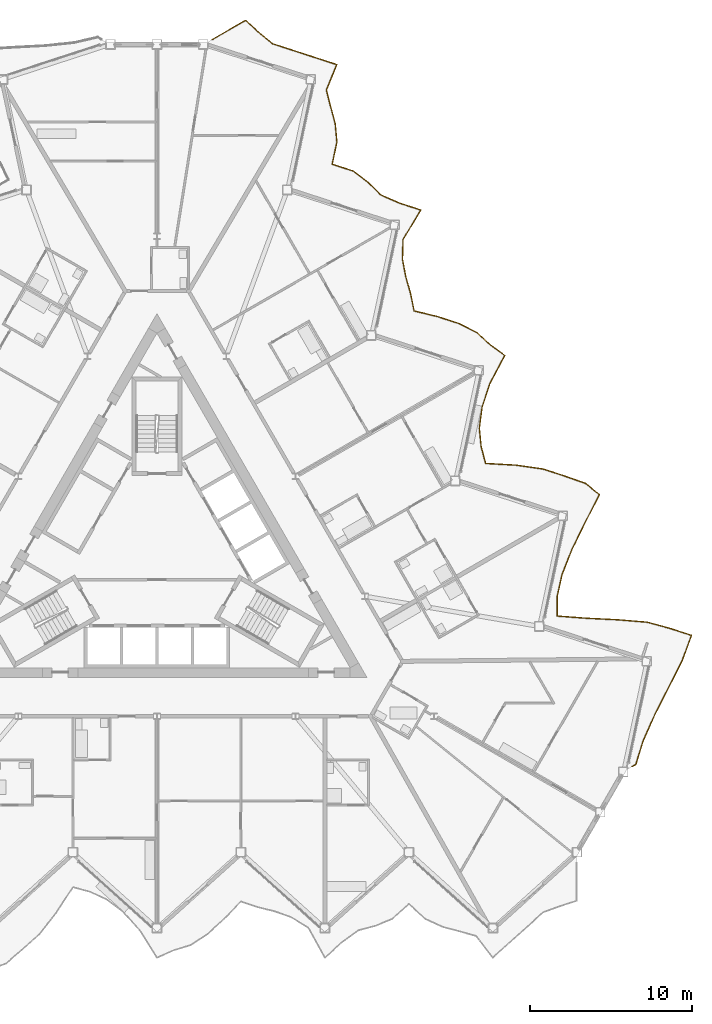
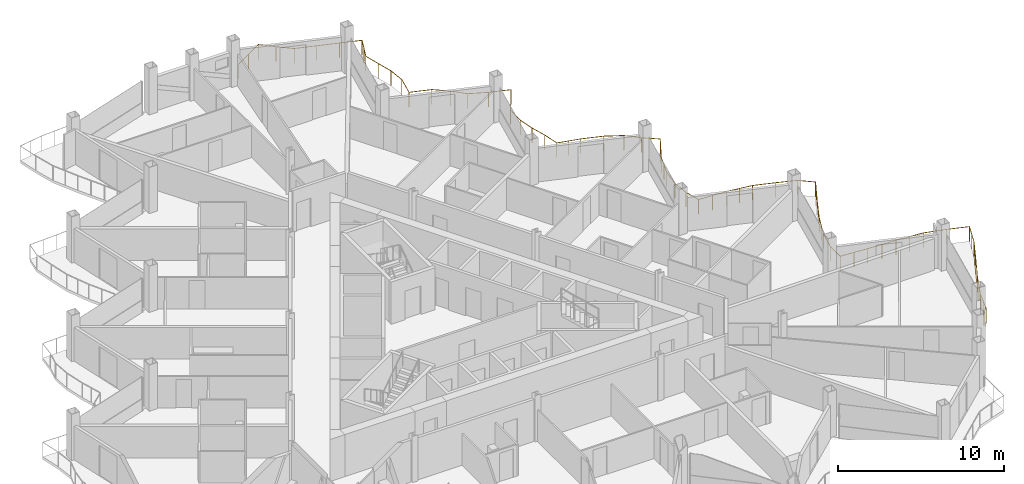
# One storey, part 25 of 27: 1 railing.
"""IFC4 building model written with IfcOpenShell, lengths in metres."""

from ifc_helpers import new_model, si_unit, direction, frame, origin, origin_2d, place, context, subcontext, project, spatial, circle, extrude, material, type_object, element, save


model = new_model("IFC4")

# Units and contexts
model_context = context("Model", 3, precision=1e-05, world=origin(), true_north=direction((0.0, 1.0)))
body_context = subcontext(model_context, "Body", "Model", "MODEL_VIEW")
ifc_project = project(units=[si_unit("LENGTHUNIT", "METRE"), si_unit("AREAUNIT", "SQUARE_METRE"), si_unit("VOLUMEUNIT", "CUBIC_METRE"), si_unit("PLANEANGLEUNIT", "RADIAN"), si_unit("MASSUNIT", "GRAM", prefix="KILO")], contexts=[model_context])

# Site, building, storey
site_placement = place(None, origin())
site = spatial("IfcSite", under=ifc_project, at=site_placement, CompositionType="ELEMENT")
building_placement = place(site_placement, origin())
building = spatial("IfcBuilding", under=site, at=building_placement, Name="Cormorant Prow Tower", CompositionType="ELEMENT")
storey_placement = place(building_placement, frame((0.0, 0.0, 335.800048828125)))
storey = spatial("IfcBuildingStorey", under=building, at=storey_placement, Name="L75", CompositionType="ELEMENT", Elevation=335.800048828125)

# Railing
ifc_material = material(Name="Aluminium 6063-T6", Category="aluminium")
railing_type = type_object("IfcRailingType", Name="Balcony guard 1100", PredefinedType="GUARDRAIL", material=ifc_material)
railing_placement = place(storey_placement, frame((29.40869140625, -13.021484375, 0.0)))
element("IfcRailing", 1, at=railing_placement, inside=storey, type_object=railing_type, Name="Balcony guard ENE", PredefinedType="GUARDRAIL", context=body_context, shape_type="SweptSolid", body=[
    extrude(circle(Radius=0.02392578125, at=origin_2d()), frame((0.0, 0.0, 1.076171875), z_axis=(0.866230789891, 0.499644091975, 0.0), x_axis=(-0.499644091975, 0.866230789891, 0.0)), (0.0, 0.0, 1.0), 0.269775390625),
    extrude(circle(Radius=0.02392578125, at=origin_2d()), frame((0.233642578125, 0.134765625, 1.076171875), z_axis=(0.294523774743, 0.95564415245, 0.0), x_axis=(-0.95564415245, 0.294523774743, 0.0)), (0.0, 0.0, 1.0), 1.52783203125),
    extrude(circle(Radius=0.02392578125, at=origin_2d()), frame((0.68359375, 1.5947265625, 1.076171875), z_axis=(0.407558426025, 0.913179133235, 0.0), x_axis=(-0.913179133235, 0.407558426025, 0.0)), (0.0, 0.0, 1.0), 1.77001953125),
    extrude(circle(Radius=0.02392578125, at=origin_2d()), frame((1.405029296875, 3.211181640625, 1.076171875), z_axis=(0.454058019356, 0.890972118003, 0.0), x_axis=(-0.890972118003, 0.454058019356, 0.0)), (0.0, 0.0, 1.0), 1.908203125),
    extrude(circle(Radius=0.02392578125, at=origin_2d()), frame((2.271484375, 4.911376953125, 1.076171875), z_axis=(0.446747228541, 0.894660222538, 0.0), x_axis=(-0.894660222538, 0.446747228541, 0.0)), (0.0, 0.0, 1.0), 1.884765625),
    extrude(circle(Radius=0.02392578125, at=origin_2d()), frame((3.113525390625, 6.59765625, 1.076171875), z_axis=(0.347587835427, 0.937647426629, 0.0), x_axis=(-0.937647426629, 0.347587835427, 0.0)), (0.0, 0.0, 1.0), 1.628173828125),
    extrude(circle(Radius=0.02392578125, at=origin_2d()), frame((3.679443359375, 8.124267578125, 1.076171875), z_axis=(-0.951064853311, 0.308991334501, 0.0), x_axis=(-0.308991334501, -0.951064853311, 0.0)), (0.0, 0.0, 1.0), 1.3984375),
    extrude(circle(Radius=0.02392578125, at=origin_2d()), frame((2.349365234375, 8.556396484375, 1.076171875), z_axis=(-0.964955928758, 0.26241199583, 0.0), x_axis=(-0.26241199583, -0.964955928758, 0.0)), (0.0, 0.0, 1.0), 1.46435546875),
    extrude(circle(Radius=0.02392578125, at=origin_2d()), frame((0.936279296875, 8.940673828125, 1.076171875), z_axis=(-0.99655775516, 0.082901391002, 0.0), x_axis=(-0.082901391002, -0.99655775516, 0.0)), (0.0, 0.0, 1.0), 1.822998046875),
    extrude(circle(Radius=0.02392578125, at=origin_2d()), frame((-0.88037109375, 9.091796875, 1.076171875), z_axis=(-0.998811898012, 0.048731841648, 0.0), x_axis=(-0.048731841648, -0.998811898012, 0.0)), (0.0, 0.0, 1.0), 1.918701171875),
    extrude(circle(Radius=0.02392578125, at=origin_2d()), frame((-2.796875, 9.185302734375, 1.076171875), z_axis=(-0.997311174394, 0.073283159246, 0.0), x_axis=(-0.073283159246, -0.997311174394, 0.0)), (0.0, 0.0, 1.0), 1.848876953125),
    extrude(circle(Radius=0.02392578125, at=origin_2d()), frame((-4.640869140625, 9.32080078125, 1.076171875), z_axis=(0.000610128013, 0.999999813872, 0.0), x_axis=(-0.999999813872, 0.000610128013, 0.0)), (0.0, 0.0, 1.0), 1.200439453125),
    extrude(circle(Radius=0.02392578125, at=origin_2d()), frame((-4.64013671875, 10.521240234375, 1.076171875), z_axis=(0.219051768034, 0.975713238058, 0.0), x_axis=(-0.975713238058, 0.219051768034, 0.0)), (0.0, 0.0, 1.0), 1.413330078125),
    extrude(circle(Radius=0.02392578125, at=origin_2d()), frame((-4.33056640625, 11.900146484375, 1.076171875), z_axis=(0.36710331461, 0.930180174161, 0.0), x_axis=(-0.930180174161, 0.36710331461, 0.0)), (0.0, 0.0, 1.0), 1.670654296875),
    extrude(circle(Radius=0.02392578125, at=origin_2d()), frame((-3.71728515625, 13.4541015625, 1.076171875), z_axis=(0.440552379562, 0.89772690773, 0.0), x_axis=(-0.89772690773, 0.440552379562, 0.0)), (0.0, 0.0, 1.0), 1.865234375),
    extrude(circle(Radius=0.02392578125, at=origin_2d()), frame((-2.8955078125, 15.128662109375, 1.076171875), z_axis=(0.456414945173, 0.889767046941, 0.0), x_axis=(-0.889767046941, 0.456414945173, 0.0)), (0.0, 0.0, 1.0), 1.916015625),
    extrude(circle(Radius=0.02392578125, at=origin_2d()), frame((-2.02099609375, 16.83349609375, 1.076171875), z_axis=(-0.777520531746, 0.628857553595, 0.0), x_axis=(-0.628857553595, -0.777520531746, 0.0)), (0.0, 0.0, 1.0), 1.113525390625),
    extrude(circle(Radius=0.02392578125, at=origin_2d()), frame((-2.88671875, 17.53369140625, 1.076171875), z_axis=(-0.943062785885, 0.332614764974, 0.0), x_axis=(-0.332614764974, -0.943062785885, 0.0)), (0.0, 0.0, 1.0), 1.3681640625),
    extrude(circle(Radius=0.02392578125, at=origin_2d()), frame((-4.177001953125, 17.98876953125, 1.076171875), z_axis=(-0.951048181845, 0.309042643999, 0.0), x_axis=(-0.309042643999, -0.951048181845, 0.0)), (0.0, 0.0, 1.0), 1.398193359375),
    extrude(circle(Radius=0.02392578125, at=origin_2d()), frame((-5.5068359375, 18.4208984375, 1.076171875), z_axis=(-0.989747991902, 0.142824761603, 0.0), x_axis=(-0.142824761603, -0.989747991902, 0.0)), (0.0, 0.0, 1.0), 1.680419921875),
    extrude(circle(Radius=0.02392578125, at=origin_2d()), frame((-7.169921875, 18.660888671875, 1.076171875), z_axis=(-0.998408418634, 0.056397070849, 0.0), x_axis=(-0.056397070849, -0.998408418634, 0.0)), (0.0, 0.0, 1.0), 1.89599609375),
    extrude(circle(Radius=0.02392578125, at=origin_2d()), frame((-9.06298828125, 18.767822265625, 1.076171875), z_axis=(-0.256702753318, 0.966490401628, 0.0), x_axis=(-0.966490401628, -0.256702753318, 0.0)), (0.0, 0.0, 1.0), 1.07666015625),
    extrude(circle(Radius=0.02392578125, at=origin_2d()), frame((-9.33935546875, 19.808349609375, 1.076171875), z_axis=(-0.099355312489, 0.995052019686, 0.0), x_axis=(-0.995052019686, -0.099355312489, 0.0)), (0.0, 0.0, 1.0), 1.14013671875),
    extrude(circle(Radius=0.02392578125, at=origin_2d()), frame((-9.45263671875, 20.94287109375, 1.076171875), z_axis=(0.128764747138, 0.991675168538, 0.0), x_axis=(-0.991675168538, 0.128764747138, 0.0)), (0.0, 0.0, 1.0), 1.308349609375),
    extrude(circle(Radius=0.02392578125, at=origin_2d()), frame((-9.2841796875, 22.240234375, 1.076171875), z_axis=(0.311900794197, 0.950114674436, 0.0), x_axis=(-0.950114674436, 0.311900794197, 0.0)), (0.0, 0.0, 1.0), 1.558349609375),
    extrude(circle(Radius=0.02392578125, at=origin_2d()), frame((-8.798095703125, 23.720947265625, 1.076171875), z_axis=(0.468105591313, 0.883672538547, 0.0), x_axis=(-0.883672538547, 0.468105591313, 0.0)), (0.0, 0.0, 1.0), 1.956298828125),
    extrude(circle(Radius=0.02392578125, at=origin_2d()), frame((-7.88232421875, 25.44970703125, 1.076171875), z_axis=(-0.807591829708, 0.589741838933, 0.0), x_axis=(-0.589741838933, -0.807591829708, 0.0)), (0.0, 0.0, 1.0), 1.136474609375),
    extrude(circle(Radius=0.02392578125, at=origin_2d()), frame((-8.800048828125, 26.119873046875, 1.076171875), z_axis=(-0.730097750065, 0.683342721736, 0.0), x_axis=(-0.683342721736, -0.730097750065, 0.0)), (0.0, 0.0, 1.0), 1.086181640625),
    extrude(circle(Radius=0.02392578125, at=origin_2d()), frame((-9.593017578125, 26.862060546875, 1.076171875), z_axis=(-0.893127053343, 0.449804475952, 0.0), x_axis=(-0.449804475952, -0.893127053343, 0.0)), (0.0, 0.0, 1.0), 1.242919921875),
    extrude(circle(Radius=0.02392578125, at=origin_2d()), frame((-10.703125, 27.421142578125, 1.076171875), z_axis=(-0.951064853311, 0.308991334501, 0.0), x_axis=(-0.308991334501, -0.951064853311, 0.0)), (0.0, 0.0, 1.0), 1.3984375),
    extrude(circle(Radius=0.02392578125, at=origin_2d()), frame((-12.033203125, 27.853271484375, 1.076171875), z_axis=(-0.971362366104, 0.237602932889, 0.0), x_axis=(-0.237602932889, -0.971362366104, 0.0)), (0.0, 0.0, 1.0), 1.503173828125),
    extrude(circle(Radius=0.02392578125, at=origin_2d()), frame((-13.493408203125, 28.21044921875, 1.076171875), z_axis=(-0.196801089337, 0.98044343602, 0.0), x_axis=(-0.98044343602, -0.196801089337, 0.0)), (0.0, 0.0, 1.0), 1.0966796875),
    extrude(circle(Radius=0.02392578125, at=origin_2d()), frame((-13.709228515625, 29.28564453125, 1.076171875), z_axis=(-0.276557489015, 0.960997375267, 0.0), x_axis=(-0.960997375267, -0.276557489015, 0.0)), (0.0, 0.0, 1.0), 1.07080078125),
    extrude(circle(Radius=0.02392578125, at=origin_2d()), frame((-14.00537109375, 30.314697265625, 1.076171875), z_axis=(-0.185064615716, 0.982726354592, 0.0), x_axis=(-0.982726354592, -0.185064615716, 0.0)), (0.0, 0.0, 1.0), 1.1015625),
    extrude(circle(Radius=0.02392578125, at=origin_2d()), frame((-14.209228515625, 31.397216796875, 1.076171875), z_axis=(0.028011422025, 0.99960760313, 0.0), x_axis=(-0.99960760313, 0.028011422025, 0.0)), (0.0, 0.0, 1.0), 1.22021484375),
    extrude(circle(Radius=0.02392578125, at=origin_2d()), frame((-14.175048828125, 32.616943359375, 1.076171875), z_axis=(0.513335444008, 0.858188045783, 0.0), x_axis=(-0.858188045783, 0.513335444008, 0.0)), (0.0, 0.0, 1.0), 2.135986328125),
    extrude(circle(Radius=0.02392578125, at=origin_2d()), frame((-13.07861328125, 34.449951171875, 1.076171875), z_axis=(-0.951064853311, 0.308991334501, 0.0), x_axis=(-0.308991334501, -0.951064853311, 0.0)), (0.0, 0.0, 1.0), 1.3984375),
    extrude(circle(Radius=0.02392578125, at=origin_2d()), frame((-14.40869140625, 34.882080078125, 1.076171875), z_axis=(-0.915189260357, 0.403024338878, 0.0), x_axis=(-0.403024338878, -0.915189260357, 0.0)), (0.0, 0.0, 1.0), 1.28857421875),
    extrude(circle(Radius=0.02392578125, at=origin_2d()), frame((-15.587890625, 35.4013671875, 1.076171875), z_axis=(-0.700478445752, 0.713673557754, 0.0), x_axis=(-0.713673557754, -0.700478445752, 0.0)), (0.0, 0.0, 1.0), 1.0732421875),
    extrude(circle(Radius=0.02392578125, at=origin_2d()), frame((-16.339599609375, 36.167236328125, 1.076171875), z_axis=(-0.791872304083, 0.610686706935, 0.0), x_axis=(-0.610686706935, -0.791872304083, 0.0)), (0.0, 0.0, 1.0), 1.123779296875),
    extrude(circle(Radius=0.02392578125, at=origin_2d()), frame((-17.2294921875, 36.853515625, 1.076171875), z_axis=(-0.951064853311, 0.308991334501, 0.0), x_axis=(-0.308991334501, -0.951064853311, 0.0)), (0.0, 0.0, 1.0), 1.3984375),
    extrude(circle(Radius=0.02392578125, at=origin_2d()), frame((-18.5595703125, 37.28564453125, 1.076171875), z_axis=(0.207919304822, 0.978145982296, 0.0), x_axis=(-0.978145982296, 0.207919304822, 0.0)), (0.0, 0.0, 1.0), 1.3984375),
    extrude(circle(Radius=0.02392578125, at=origin_2d()), frame((-18.268798828125, 38.653564453125, 1.076171875), z_axis=(-0.089536194141, 0.995983569111, 0.0), x_axis=(-0.995983569111, -0.089536194141, 0.0)), (0.0, 0.0, 1.0), 1.145263671875),
    extrude(circle(Radius=0.02392578125, at=origin_2d()), frame((-18.371337890625, 39.794189453125, 1.076171875), z_axis=(-0.262310205393, 0.964983604082, 0.0), x_axis=(-0.964983604082, -0.262310205393, 0.0)), (0.0, 0.0, 1.0), 1.074951171875),
    extrude(circle(Radius=0.02392578125, at=origin_2d()), frame((-18.6533203125, 40.83154296875, 1.076171875), z_axis=(-0.245459508698, 0.969406844204, 0.0), x_axis=(-0.969406844204, -0.245459508698, 0.0)), (0.0, 0.0, 1.0), 1.080078125),
    extrude(circle(Radius=0.02392578125, at=origin_2d()), frame((-18.91845703125, 41.878662109375, 1.076171875), z_axis=(0.37896309818, 0.925411784136, 0.0), x_axis=(-0.925411784136, 0.37896309818, 0.0)), (0.0, 0.0, 1.0), 1.6982421875),
    extrude(circle(Radius=0.02392578125, at=origin_2d()), frame((-18.27490234375, 43.4501953125, 1.076171875), z_axis=(-0.951064853311, 0.308991334501, 0.0), x_axis=(-0.308991334501, -0.951064853311, 0.0)), (0.0, 0.0, 1.0), 1.3984375),
    extrude(circle(Radius=0.02392578125, at=origin_2d()), frame((-19.60498046875, 43.88232421875, 1.076171875), z_axis=(-0.951048181845, 0.309042643999, 0.0), x_axis=(-0.309042643999, -0.951048181845, 0.0)), (0.0, 0.0, 1.0), 1.398193359375),
    extrude(circle(Radius=0.02392578125, at=origin_2d()), frame((-20.934814453125, 44.314453125, 1.076171875), z_axis=(-0.951064853311, 0.308991334501, 0.0), x_axis=(-0.308991334501, -0.951064853311, 0.0)), (0.0, 0.0, 1.0), 1.3984375),
    extrude(circle(Radius=0.02392578125, at=origin_2d()), frame((-22.264892578125, 44.74658203125, 1.076171875), z_axis=(-0.767080818133, 0.641550480049, 0.0), x_axis=(-0.641550480049, -0.767080818133, 0.0)), (0.0, 0.0, 1.0), 1.106689453125),
    extrude(circle(Radius=0.02392578125, at=origin_2d()), frame((-23.11376953125, 45.45654296875, 1.076171875), z_axis=(-0.74134501935, 0.67112410349, 0.0), x_axis=(-0.67112410349, -0.74134501935, 0.0)), (0.0, 0.0, 1.0), 1.091796875),
    extrude(circle(Radius=0.02392578125, at=origin_2d()), frame((-23.923095703125, 46.189208984375, 1.076171875), z_axis=(-0.866053875007, -0.499950683153, 0.0), x_axis=(0.499950683153, -0.866053875007, 0.0)), (0.0, 0.0, 1.0), 2.376708984375),
    extrude(circle(Radius=0.02099609375, at=origin_2d()), origin(), (0.0, 0.0, 1.0), 1.052001953125),
    extrude(circle(Radius=0.02099609375, at=origin_2d()), frame((0.233642578125, 0.134765625, 0.0)), (0.0, 0.0, 1.0), 1.052001953125),
    extrude(circle(Radius=0.02099609375, at=origin_2d()), frame((0.45849609375, 0.86474609375, 0.0)), (0.0, 0.0, 1.0), 1.052001953125),
    extrude(circle(Radius=0.02099609375, at=origin_2d()), frame((0.68359375, 1.5947265625, 0.0)), (0.0, 0.0, 1.0), 1.052001953125),
    extrude(circle(Radius=0.02099609375, at=origin_2d()), frame((1.04443359375, 2.40283203125, 0.0)), (0.0, 0.0, 1.0), 1.052001953125),
    extrude(circle(Radius=0.02099609375, at=origin_2d()), frame((1.405029296875, 3.211181640625, 0.0)), (0.0, 0.0, 1.0), 1.052001953125),
    extrude(circle(Radius=0.02099609375, at=origin_2d()), frame((1.83837890625, 4.061279296875, 0.0)), (0.0, 0.0, 1.0), 1.052001953125),
    extrude(circle(Radius=0.02099609375, at=origin_2d()), frame((2.271484375, 4.911376953125, 0.0)), (0.0, 0.0, 1.0), 1.052001953125),
    extrude(circle(Radius=0.02099609375, at=origin_2d()), frame((2.6923828125, 5.75439453125, 0.0)), (0.0, 0.0, 1.0), 1.052001953125),
    extrude(circle(Radius=0.02099609375, at=origin_2d()), frame((3.113525390625, 6.59765625, 0.0)), (0.0, 0.0, 1.0), 1.052001953125),
    extrude(circle(Radius=0.02099609375, at=origin_2d()), frame((3.396484375, 7.36083984375, 0.0)), (0.0, 0.0, 1.0), 1.052001953125),
    extrude(circle(Radius=0.02099609375, at=origin_2d()), frame((3.679443359375, 8.124267578125, 0.0)), (0.0, 0.0, 1.0), 1.052001953125),
    extrude(circle(Radius=0.02099609375, at=origin_2d()), frame((2.349365234375, 8.556396484375, 0.0)), (0.0, 0.0, 1.0), 1.052001953125),
    extrude(circle(Radius=0.02099609375, at=origin_2d()), frame((0.936279296875, 8.940673828125, 0.0)), (0.0, 0.0, 1.0), 1.052001953125),
    extrude(circle(Radius=0.02099609375, at=origin_2d()), frame((0.02783203125, 9.01611328125, 0.0)), (0.0, 0.0, 1.0), 1.052001953125),
    extrude(circle(Radius=0.02099609375, at=origin_2d()), frame((-0.88037109375, 9.091796875, 0.0)), (0.0, 0.0, 1.0), 1.052001953125),
    extrude(circle(Radius=0.02099609375, at=origin_2d()), frame((-1.838623046875, 9.138671875, 0.0)), (0.0, 0.0, 1.0), 1.052001953125),
    extrude(circle(Radius=0.02099609375, at=origin_2d()), frame((-2.796875, 9.185302734375, 0.0)), (0.0, 0.0, 1.0), 1.052001953125),
    extrude(circle(Radius=0.02099609375, at=origin_2d()), frame((-3.71875, 9.2529296875, 0.0)), (0.0, 0.0, 1.0), 1.052001953125),
    extrude(circle(Radius=0.02099609375, at=origin_2d()), frame((-4.640869140625, 9.32080078125, 0.0)), (0.0, 0.0, 1.0), 1.052001953125),
    extrude(circle(Radius=0.02099609375, at=origin_2d()), frame((-4.64013671875, 10.521240234375, 0.0)), (0.0, 0.0, 1.0), 1.052001953125),
    extrude(circle(Radius=0.02099609375, at=origin_2d()), frame((-4.33056640625, 11.900146484375, 0.0)), (0.0, 0.0, 1.0), 1.052001953125),
    extrude(circle(Radius=0.02099609375, at=origin_2d()), frame((-4.02392578125, 12.67724609375, 0.0)), (0.0, 0.0, 1.0), 1.052001953125),
    extrude(circle(Radius=0.02099609375, at=origin_2d()), frame((-3.71728515625, 13.4541015625, 0.0)), (0.0, 0.0, 1.0), 1.052001953125),
    extrude(circle(Radius=0.02099609375, at=origin_2d()), frame((-3.306396484375, 14.29150390625, 0.0)), (0.0, 0.0, 1.0), 1.052001953125),
    extrude(circle(Radius=0.02099609375, at=origin_2d()), frame((-2.8955078125, 15.128662109375, 0.0)), (0.0, 0.0, 1.0), 1.052001953125),
    extrude(circle(Radius=0.02099609375, at=origin_2d()), frame((-2.458251953125, 15.98095703125, 0.0)), (0.0, 0.0, 1.0), 1.052001953125),
    extrude(circle(Radius=0.02099609375, at=origin_2d()), frame((-2.02099609375, 16.83349609375, 0.0)), (0.0, 0.0, 1.0), 1.052001953125),
    extrude(circle(Radius=0.02099609375, at=origin_2d()), frame((-2.88671875, 17.53369140625, 0.0)), (0.0, 0.0, 1.0), 1.052001953125),
    extrude(circle(Radius=0.02099609375, at=origin_2d()), frame((-4.177001953125, 17.98876953125, 0.0)), (0.0, 0.0, 1.0), 1.052001953125),
    extrude(circle(Radius=0.02099609375, at=origin_2d()), frame((-5.5068359375, 18.4208984375, 0.0)), (0.0, 0.0, 1.0), 1.052001953125),
    extrude(circle(Radius=0.02099609375, at=origin_2d()), frame((-6.33837890625, 18.541015625, 0.0)), (0.0, 0.0, 1.0), 1.052001953125),
    extrude(circle(Radius=0.02099609375, at=origin_2d()), frame((-7.169921875, 18.660888671875, 0.0)), (0.0, 0.0, 1.0), 1.052001953125),
    extrude(circle(Radius=0.02099609375, at=origin_2d()), frame((-8.116455078125, 18.71435546875, 0.0)), (0.0, 0.0, 1.0), 1.052001953125),
    extrude(circle(Radius=0.02099609375, at=origin_2d()), frame((-9.06298828125, 18.767822265625, 0.0)), (0.0, 0.0, 1.0), 1.052001953125),
    extrude(circle(Radius=0.02099609375, at=origin_2d()), frame((-9.33935546875, 19.808349609375, 0.0)), (0.0, 0.0, 1.0), 1.052001953125),
    extrude(circle(Radius=0.02099609375, at=origin_2d()), frame((-9.45263671875, 20.94287109375, 0.0)), (0.0, 0.0, 1.0), 1.052001953125),
    extrude(circle(Radius=0.02099609375, at=origin_2d()), frame((-9.2841796875, 22.240234375, 0.0)), (0.0, 0.0, 1.0), 1.052001953125),
    extrude(circle(Radius=0.02099609375, at=origin_2d()), frame((-9.041015625, 22.98046875, 0.0)), (0.0, 0.0, 1.0), 1.052001953125),
    extrude(circle(Radius=0.02099609375, at=origin_2d()), frame((-8.798095703125, 23.720947265625, 0.0)), (0.0, 0.0, 1.0), 1.052001953125),
    extrude(circle(Radius=0.02099609375, at=origin_2d()), frame((-8.34033203125, 24.58544921875, 0.0)), (0.0, 0.0, 1.0), 1.052001953125),
    extrude(circle(Radius=0.02099609375, at=origin_2d()), frame((-7.88232421875, 25.44970703125, 0.0)), (0.0, 0.0, 1.0), 1.052001953125),
    extrude(circle(Radius=0.02099609375, at=origin_2d()), frame((-8.800048828125, 26.119873046875, 0.0)), (0.0, 0.0, 1.0), 1.052001953125),
    extrude(circle(Radius=0.02099609375, at=origin_2d()), frame((-9.593017578125, 26.862060546875, 0.0)), (0.0, 0.0, 1.0), 1.052001953125),
    extrude(circle(Radius=0.02099609375, at=origin_2d()), frame((-10.703125, 27.421142578125, 0.0)), (0.0, 0.0, 1.0), 1.052001953125),
    extrude(circle(Radius=0.02099609375, at=origin_2d()), frame((-12.033203125, 27.853271484375, 0.0)), (0.0, 0.0, 1.0), 1.052001953125),
    extrude(circle(Radius=0.02099609375, at=origin_2d()), frame((-12.76318359375, 28.03173828125, 0.0)), (0.0, 0.0, 1.0), 1.052001953125),
    extrude(circle(Radius=0.02099609375, at=origin_2d()), frame((-13.493408203125, 28.21044921875, 0.0)), (0.0, 0.0, 1.0), 1.052001953125),
    extrude(circle(Radius=0.02099609375, at=origin_2d()), frame((-13.709228515625, 29.28564453125, 0.0)), (0.0, 0.0, 1.0), 1.052001953125),
    extrude(circle(Radius=0.02099609375, at=origin_2d()), frame((-14.00537109375, 30.314697265625, 0.0)), (0.0, 0.0, 1.0), 1.052001953125),
    extrude(circle(Radius=0.02099609375, at=origin_2d()), frame((-14.209228515625, 31.397216796875, 0.0)), (0.0, 0.0, 1.0), 1.052001953125),
    extrude(circle(Radius=0.02099609375, at=origin_2d()), frame((-14.175048828125, 32.616943359375, 0.0)), (0.0, 0.0, 1.0), 1.052001953125),
    extrude(circle(Radius=0.02099609375, at=origin_2d()), frame((-13.626953125, 33.533447265625, 0.0)), (0.0, 0.0, 1.0), 1.052001953125),
    extrude(circle(Radius=0.02099609375, at=origin_2d()), frame((-13.07861328125, 34.449951171875, 0.0)), (0.0, 0.0, 1.0), 1.052001953125),
    extrude(circle(Radius=0.02099609375, at=origin_2d()), frame((-14.40869140625, 34.882080078125, 0.0)), (0.0, 0.0, 1.0), 1.052001953125),
    extrude(circle(Radius=0.02099609375, at=origin_2d()), frame((-15.587890625, 35.4013671875, 0.0)), (0.0, 0.0, 1.0), 1.052001953125),
    extrude(circle(Radius=0.02099609375, at=origin_2d()), frame((-16.339599609375, 36.167236328125, 0.0)), (0.0, 0.0, 1.0), 1.052001953125),
    extrude(circle(Radius=0.02099609375, at=origin_2d()), frame((-17.2294921875, 36.853515625, 0.0)), (0.0, 0.0, 1.0), 1.052001953125),
    extrude(circle(Radius=0.02099609375, at=origin_2d()), frame((-18.5595703125, 37.28564453125, 0.0)), (0.0, 0.0, 1.0), 1.052001953125),
    extrude(circle(Radius=0.02099609375, at=origin_2d()), frame((-18.268798828125, 38.653564453125, 0.0)), (0.0, 0.0, 1.0), 1.052001953125),
    extrude(circle(Radius=0.02099609375, at=origin_2d()), frame((-18.371337890625, 39.794189453125, 0.0)), (0.0, 0.0, 1.0), 1.052001953125),
    extrude(circle(Radius=0.02099609375, at=origin_2d()), frame((-18.6533203125, 40.83154296875, 0.0)), (0.0, 0.0, 1.0), 1.052001953125),
    extrude(circle(Radius=0.02099609375, at=origin_2d()), frame((-18.91845703125, 41.878662109375, 0.0)), (0.0, 0.0, 1.0), 1.052001953125),
    extrude(circle(Radius=0.02099609375, at=origin_2d()), frame((-18.5966796875, 42.66455078125, 0.0)), (0.0, 0.0, 1.0), 1.052001953125),
    extrude(circle(Radius=0.02099609375, at=origin_2d()), frame((-18.27490234375, 43.4501953125, 0.0)), (0.0, 0.0, 1.0), 1.052001953125),
    extrude(circle(Radius=0.02099609375, at=origin_2d()), frame((-19.60498046875, 43.88232421875, 0.0)), (0.0, 0.0, 1.0), 1.052001953125),
    extrude(circle(Radius=0.02099609375, at=origin_2d()), frame((-20.934814453125, 44.314453125, 0.0)), (0.0, 0.0, 1.0), 1.052001953125),
    extrude(circle(Radius=0.02099609375, at=origin_2d()), frame((-22.264892578125, 44.74658203125, 0.0)), (0.0, 0.0, 1.0), 1.052001953125),
    extrude(circle(Radius=0.02099609375, at=origin_2d()), frame((-23.11376953125, 45.45654296875, 0.0)), (0.0, 0.0, 1.0), 1.052001953125),
    extrude(circle(Radius=0.02099609375, at=origin_2d()), frame((-23.923095703125, 46.189208984375, 0.0)), (0.0, 0.0, 1.0), 1.052001953125),
    extrude(circle(Radius=0.02099609375, at=origin_2d()), frame((-24.9521484375, 45.59521484375, 0.0)), (0.0, 0.0, 1.0), 1.052001953125),
    extrude(circle(Radius=0.02099609375, at=origin_2d()), frame((-25.9814453125, 45.0009765625, 0.0)), (0.0, 0.0, 1.0), 1.052001953125),
])

save(model, "model.ifc")
